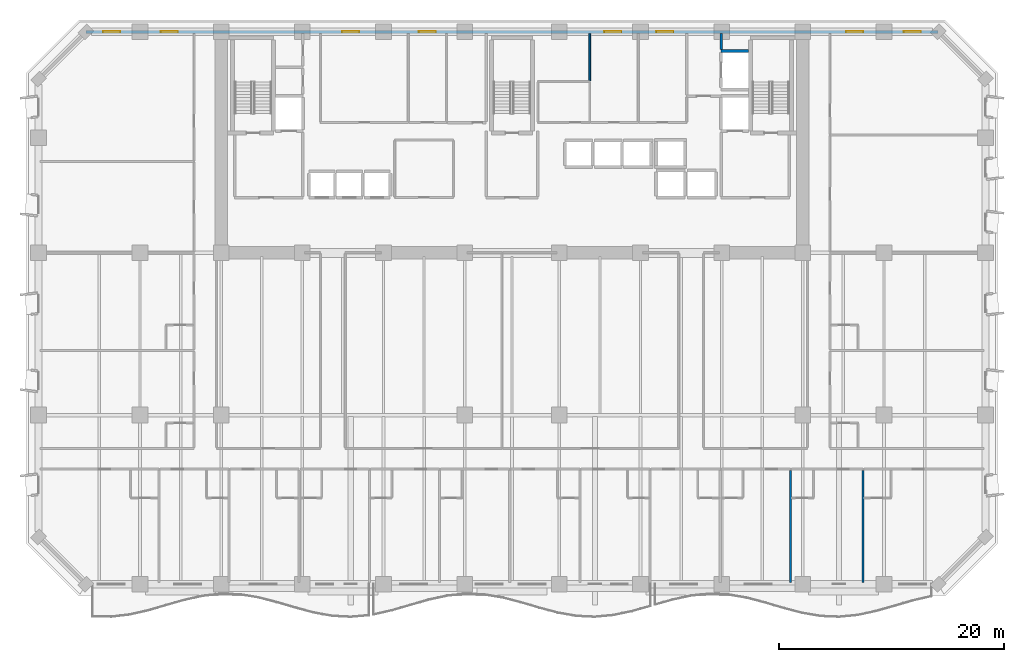
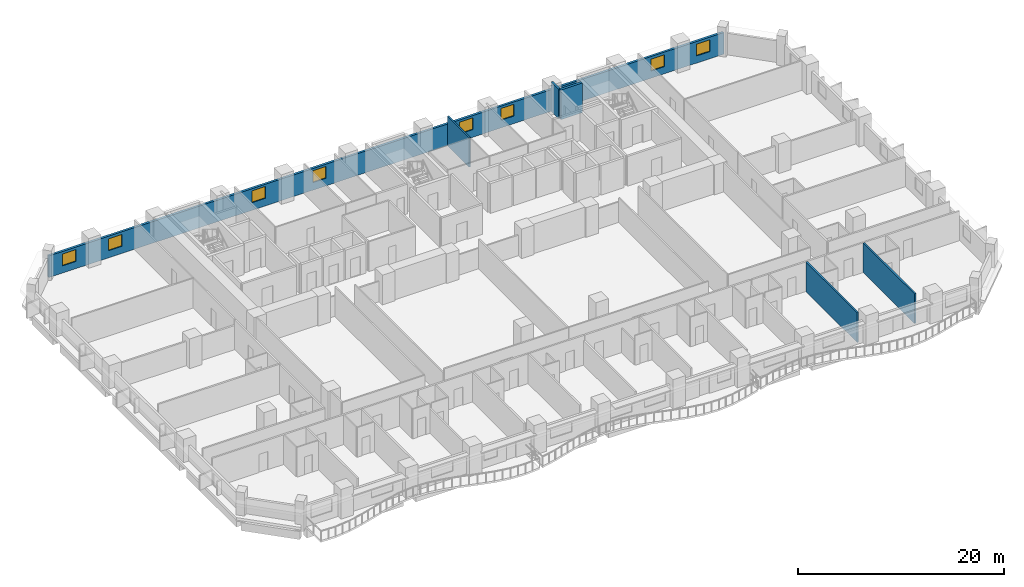
# One storey, part 9 of 15: 8 windows, 6 walls, 8 openings.
"""IFC4 building model written with IfcOpenShell, lengths in metres."""

from ifc_helpers import new_model, si_unit, direction, frame, frame_2d, origin, place, context, subcontext, project, spatial, rectangle, extrude, material, layer, layer_set, type_object, element, fill, save


model = new_model("IFC4")

# Units and contexts
model_context = context("Model", 3, precision=1e-05, world=origin(), true_north=direction((0.0, 1.0)))
body_context = subcontext(model_context, "Body", "Model", "MODEL_VIEW")
ifc_project = project(units=[si_unit("LENGTHUNIT", "METRE"), si_unit("AREAUNIT", "SQUARE_METRE"), si_unit("VOLUMEUNIT", "CUBIC_METRE"), si_unit("PLANEANGLEUNIT", "RADIAN"), si_unit("MASSUNIT", "GRAM", prefix="KILO")], contexts=[model_context])

# Site, building, storey
site_placement = place(None, origin())
site = spatial("IfcSite", under=ifc_project, at=site_placement, CompositionType="ELEMENT")
building_placement = place(site_placement, origin())
building = spatial("IfcBuilding", under=site, at=building_placement, Name="Kaelvorn Grand Hotel", CompositionType="ELEMENT")
storey_placement = place(building_placement, frame((0.0, 0.0, 42.64990234375)))
storey = spatial("IfcBuildingStorey", under=building, at=storey_placement, Name="L08", CompositionType="ELEMENT", Elevation=42.64990234375)

# Wall, openings, windows
ifc_material_1 = material(Name="Concrete C40/50", Category="concrete")
ifc_layer_1 = layer(ifc_material_1, 0.260009765625)
ifc_layer_set_1 = layer_set([ifc_layer_1], Name="Concrete C40/50")
wall_type_1 = type_object("IfcWallType", Name="WL-EXT-260-C40", PredefinedType="SOLIDWALL", material=ifc_layer_set_1)
wall_1_placement = place(storey_placement, frame((79.800048828125, 49.0, 0.0), z_axis=(0.0, 0.0, 1.0), x_axis=(-1.0, 0.0, 0.0)))
wall_1 = element("IfcWall", 1, at=wall_1_placement, inside=storey, type_object=wall_type_1, Name="L08 Exterior Architectural Concrete Wall 05", PredefinedType="SOLIDWALL", context=body_context, shape_type="SweptSolid", body=[
    extrude(rectangle(XDim=75.60009765625, YDim=0.260009765625, at=frame_2d((37.800048828125, 0.0))), origin(), (0.0, 0.0, 1.0), 2.56005859375),
])
opening_1_placement = place(wall_1_placement, frame((72.56494140625, 0.0, 0.85009765625)))
opening_1 = element("IfcOpeningElement", 2, at=opening_1_placement, cuts=wall_1, Name="Opening W10", PredefinedType="OPENING", context=body_context, shape_type="SweptSolid", body=[
    extrude(rectangle(XDim=1.5, YDim=1.39990234375, at=frame_2d((0.75, 0.699951171875))), frame((0.0, 0.14013671875, 0.0), z_axis=(0.0, -1.0, 0.0), x_axis=(1.0, 0.0, 0.0)), (0.0, 0.0, 1.0), 0.280029296875),
])
opening_2_placement = place(wall_1_placement, frame((67.449951171875, 0.0, 0.85009765625)))
opening_2 = element("IfcOpeningElement", 3, at=opening_2_placement, cuts=wall_1, Name="Opening W10", PredefinedType="OPENING", context=body_context, shape_type="SweptSolid", body=[
    extrude(rectangle(XDim=1.5, YDim=1.39990234375, at=frame_2d((0.75, 0.699951171875))), frame((0.0, 0.14013671875, 0.0), z_axis=(0.0, -1.0, 0.0), x_axis=(1.0, 0.0, 0.0)), (0.0, 0.0, 1.0), 0.280029296875),
])
opening_3_placement = place(wall_1_placement, frame((6.64990234375, 0.0, 0.85009765625)))
opening_3 = element("IfcOpeningElement", 4, at=opening_3_placement, cuts=wall_1, Name="Opening W10", PredefinedType="OPENING", context=body_context, shape_type="SweptSolid", body=[
    extrude(rectangle(XDim=1.5, YDim=1.39990234375, at=frame_2d((0.75, 0.699951171875))), frame((0.0, 0.14013671875, 0.0), z_axis=(0.0, -1.0, 0.0), x_axis=(1.0, 0.0, 0.0)), (0.0, 0.0, 1.0), 0.280029296875),
])
opening_4_placement = place(wall_1_placement, frame((1.534912109375, 0.0, 0.85009765625)))
opening_4 = element("IfcOpeningElement", 5, at=opening_4_placement, cuts=wall_1, Name="Opening W10", PredefinedType="OPENING", context=body_context, shape_type="SweptSolid", body=[
    extrude(rectangle(XDim=1.5, YDim=1.39990234375, at=frame_2d((0.75, 0.699951171875))), frame((0.0, 0.14013671875, 0.0), z_axis=(0.0, -1.0, 0.0), x_axis=(1.0, 0.0, 0.0)), (0.0, 0.0, 1.0), 0.280029296875),
])
opening_5_placement = place(wall_1_placement, frame((51.364990234375, 0.0, 0.89990234375)))
opening_5 = element("IfcOpeningElement", 6, at=opening_5_placement, cuts=wall_1, Name="Opening W10", PredefinedType="OPENING", context=body_context, shape_type="SweptSolid", body=[
    extrude(rectangle(XDim=1.5, YDim=1.39990234375, at=frame_2d((0.75, 0.699951171875))), frame((0.0, 0.14013671875, 0.0), z_axis=(0.0, -1.0, 0.0), x_axis=(1.0, 0.0, 0.0)), (0.0, 0.0, 1.0), 0.280029296875),
])
opening_6_placement = place(wall_1_placement, frame((44.550048828125, 0.0, 0.89990234375)))
opening_6 = element("IfcOpeningElement", 7, at=opening_6_placement, cuts=wall_1, Name="Opening W10", PredefinedType="OPENING", context=body_context, shape_type="SweptSolid", body=[
    extrude(rectangle(XDim=1.5, YDim=1.39990234375, at=frame_2d((0.75, 0.699951171875))), frame((0.0, 0.14013671875, 0.0), z_axis=(0.0, -1.0, 0.0), x_axis=(1.0, 0.0, 0.0)), (0.0, 0.0, 1.0), 0.280029296875),
])
opening_7_placement = place(wall_1_placement, frame((28.10009765625, 0.0, 0.89990234375)))
opening_7 = element("IfcOpeningElement", 8, at=opening_7_placement, cuts=wall_1, Name="Opening W10", PredefinedType="OPENING", context=body_context, shape_type="SweptSolid", body=[
    extrude(rectangle(XDim=1.5, YDim=1.39990234375, at=frame_2d((0.75, 0.699951171875))), frame((0.0, 0.14013671875, 0.0), z_axis=(0.0, -1.0, 0.0), x_axis=(1.0, 0.0, 0.0)), (0.0, 0.0, 1.0), 0.280029296875),
])
opening_8_placement = place(wall_1_placement, frame((23.485107421875, 0.0, 0.89990234375)))
opening_8 = element("IfcOpeningElement", 9, at=opening_8_placement, cuts=wall_1, Name="Opening W10", PredefinedType="OPENING", context=body_context, shape_type="SweptSolid", body=[
    extrude(rectangle(XDim=1.5, YDim=1.39990234375, at=frame_2d((0.75, 0.699951171875))), frame((0.0, 0.14013671875, 0.0), z_axis=(0.0, -1.0, 0.0), x_axis=(1.0, 0.0, 0.0)), (0.0, 0.0, 1.0), 0.280029296875),
])
ifc_material_2 = material(Name="Laminated Low-E Glass", Category="glass")
window_type = type_object("IfcWindowType", Name="WIN-COR-1500x1400", PartitioningType="SINGLE_PANEL", PredefinedType="WINDOW", material=ifc_material_2)
window_1_placement = place(opening_1_placement, origin())
window_1 = element("IfcWindow", 10, at=window_1_placement, inside=storey, type_object=window_type, Name="L08 North Wing Ribbon Window NW01", OverallHeight=1.39990234375, OverallWidth=1.5, PartitioningType="SINGLE_PANEL", PredefinedType="WINDOW", context=body_context, shape_type="SweptSolid", body=[
    extrude(rectangle(XDim=1.5, YDim=1.39990234375, at=frame_2d((0.75, 0.699951171875))), frame((0.0, 0.030029296875, 0.0), z_axis=(0.0, -1.0, 0.0), x_axis=(1.0, 0.0, 0.0)), (0.0, 0.0, 1.0), 0.06005859375),
])
fill(opening_1, window_1)
window_2_placement = place(opening_2_placement, origin())
window_2 = element("IfcWindow", 11, at=window_2_placement, inside=storey, type_object=window_type, Name="L08 North Wing Ribbon Window NW02", OverallHeight=1.39990234375, OverallWidth=1.5, PartitioningType="SINGLE_PANEL", PredefinedType="WINDOW", context=body_context, shape_type="SweptSolid", body=[
    extrude(rectangle(XDim=1.5, YDim=1.39990234375, at=frame_2d((0.75, 0.699951171875))), frame((0.0, 0.030029296875, 0.0), z_axis=(0.0, -1.0, 0.0), x_axis=(1.0, 0.0, 0.0)), (0.0, 0.0, 1.0), 0.06005859375),
])
fill(opening_2, window_2)
window_3_placement = place(opening_3_placement, origin())
window_3 = element("IfcWindow", 12, at=window_3_placement, inside=storey, type_object=window_type, Name="L08 North Wing Ribbon Window NW03", OverallHeight=1.39990234375, OverallWidth=1.5, PartitioningType="SINGLE_PANEL", PredefinedType="WINDOW", context=body_context, shape_type="SweptSolid", body=[
    extrude(rectangle(XDim=1.5, YDim=1.39990234375, at=frame_2d((0.75, 0.699951171875))), frame((0.0, 0.030029296875, 0.0), z_axis=(0.0, -1.0, 0.0), x_axis=(1.0, 0.0, 0.0)), (0.0, 0.0, 1.0), 0.06005859375),
])
fill(opening_3, window_3)
window_4_placement = place(opening_4_placement, origin())
window_4 = element("IfcWindow", 13, at=window_4_placement, inside=storey, type_object=window_type, Name="L08 North Wing Ribbon Window NW04", OverallHeight=1.39990234375, OverallWidth=1.5, PartitioningType="SINGLE_PANEL", PredefinedType="WINDOW", context=body_context, shape_type="SweptSolid", body=[
    extrude(rectangle(XDim=1.5, YDim=1.39990234375, at=frame_2d((0.75, 0.699951171875))), frame((0.0, 0.030029296875, 0.0), z_axis=(0.0, -1.0, 0.0), x_axis=(1.0, 0.0, 0.0)), (0.0, 0.0, 1.0), 0.06005859375),
])
fill(opening_4, window_4)
window_5_placement = place(opening_5_placement, origin())
window_5 = element("IfcWindow", 14, at=window_5_placement, inside=storey, type_object=window_type, Name="L08 North Core Clerestory Ribbon Window NC05", OverallHeight=1.39990234375, OverallWidth=1.5, PartitioningType="SINGLE_PANEL", PredefinedType="WINDOW", context=body_context, shape_type="SweptSolid", body=[
    extrude(rectangle(XDim=1.5, YDim=1.39990234375, at=frame_2d((0.75, 0.699951171875))), frame((0.0, 0.030029296875, 0.0), z_axis=(0.0, -1.0, 0.0), x_axis=(1.0, 0.0, 0.0)), (0.0, 0.0, 1.0), 0.06005859375),
])
fill(opening_5, window_5)
window_6_placement = place(opening_6_placement, origin())
window_6 = element("IfcWindow", 15, at=window_6_placement, inside=storey, type_object=window_type, Name="L08 North Core Clerestory Ribbon Window NC06", OverallHeight=1.39990234375, OverallWidth=1.5, PartitioningType="SINGLE_PANEL", PredefinedType="WINDOW", context=body_context, shape_type="SweptSolid", body=[
    extrude(rectangle(XDim=1.5, YDim=1.39990234375, at=frame_2d((0.75, 0.699951171875))), frame((0.0, 0.030029296875, 0.0), z_axis=(0.0, -1.0, 0.0), x_axis=(1.0, 0.0, 0.0)), (0.0, 0.0, 1.0), 0.06005859375),
])
fill(opening_6, window_6)
window_7_placement = place(opening_7_placement, origin())
window_7 = element("IfcWindow", 16, at=window_7_placement, inside=storey, type_object=window_type, Name="L08 North Core Clerestory Ribbon Window NC07", OverallHeight=1.39990234375, OverallWidth=1.5, PartitioningType="SINGLE_PANEL", PredefinedType="WINDOW", context=body_context, shape_type="SweptSolid", body=[
    extrude(rectangle(XDim=1.5, YDim=1.39990234375, at=frame_2d((0.75, 0.699951171875))), frame((0.0, 0.030029296875, 0.0), z_axis=(0.0, -1.0, 0.0), x_axis=(1.0, 0.0, 0.0)), (0.0, 0.0, 1.0), 0.06005859375),
])
fill(opening_7, window_7)
window_8_placement = place(opening_8_placement, origin())
window_8 = element("IfcWindow", 17, at=window_8_placement, inside=storey, type_object=window_type, Name="L08 North Core Clerestory Ribbon Window NC08", OverallHeight=1.39990234375, OverallWidth=1.5, PartitioningType="SINGLE_PANEL", PredefinedType="WINDOW", context=body_context, shape_type="SweptSolid", body=[
    extrude(rectangle(XDim=1.5, YDim=1.39990234375, at=frame_2d((0.75, 0.699951171875))), frame((0.0, 0.030029296875, 0.0), z_axis=(0.0, -1.0, 0.0), x_axis=(1.0, 0.0, 0.0)), (0.0, 0.0, 1.0), 0.06005859375),
])
fill(opening_8, window_8)

# Walls
ifc_material_3 = material(Name="Acoustic Gypsum & Stud Partition")
ifc_layer_2 = layer(ifc_material_3, 0.14990234375)
ifc_layer_set_2 = layer_set([ifc_layer_2], Name="Acoustic Gypsum & Stud Partition")
wall_type_2 = type_object("IfcWallType", Name="WL-PART-150-EI60", PredefinedType="PARTITIONING", material=ifc_layer_set_2)
wall_2_placement = place(storey_placement, frame((48.89990234375, 44.66748046875, 0.0), z_axis=(0.0, 0.0, 1.0), x_axis=(0.0, 1.0, 0.0)))
element("IfcWall", 18, at=wall_2_placement, inside=storey, type_object=wall_type_2, Name="L08 Minibar & Glassware Store W Partition", PredefinedType="PARTITIONING", context=body_context, shape_type="SweptSolid", body=[
    extrude(rectangle(XDim=4.1826171875, YDim=0.14990234375, at=frame_2d((2.09130859375, 0.0))), origin(), (0.0, 0.0, 1.0), 3.510009765625),
])
ifc_layer_3 = layer(ifc_material_3, 0.179931640625)
ifc_layer_set_3 = layer_set([ifc_layer_3], Name="Acoustic Gypsum & Stud Partition")
wall_type_3 = type_object("IfcWallType", Name="WL-PART-180-EI60", PredefinedType="PARTITIONING", material=ifc_layer_set_3)
for number, where, z_axis, x_axis, name in (
    (19, (66.69873046875, 0.14990234375, 0.0), (0.0, 0.0, 1.0), (0.0, 1.0, 0.0), "L08 Deluxe King Guest Room L08-10 E Partition"),
    (20, (73.124267578125, 0.14990234375, 0.0), (0.0, 0.0, 1.0), (0.0, 1.0, 0.0), "L08 Deluxe Panoramic Suite L08-11 E Partition"),
):
    element("IfcWall", number, at=place(storey_placement, frame(where, z_axis=z_axis, x_axis=x_axis)), inside=storey, type_object=wall_type_3, Name=name, PredefinedType="PARTITIONING", context=body_context, shape_type="SweptSolid", body=[
        extrude(rectangle(XDim=9.955078125, YDim=0.179931640625, at=frame_2d((4.9775390625, 0.0))), origin(), (0.0, 0.0, 1.0), 3.510009765625),
    ])
ifc_layer_4 = layer(ifc_material_1, 0.219970703125)
ifc_layer_set_4 = layer_set([ifc_layer_4], Name="Concrete C40/50")
wall_type_4 = type_object("IfcWallType", Name="WL-PART-220-EI120", PredefinedType="PARTITIONING", material=ifc_layer_set_4)
wall_3_placement = place(storey_placement, frame((60.550048828125, 47.445068359375, 0.0), z_axis=(0.0, 0.0, 1.0), x_axis=(0.0, 1.0, 0.0)))
element("IfcWall", 21, at=wall_3_placement, inside=storey, type_object=wall_type_4, Name="L08 Service Lift Lobby E Partition", PredefinedType="PARTITIONING", context=body_context, shape_type="SweptSolid", body=[
    extrude(rectangle(XDim=1.405029296875, YDim=0.219970703125, at=frame_2d((0.70263671875, 0.0))), origin(), (0.0, 0.0, 1.0), 3.510009765625),
])
ifc_material_4 = material(Name="Concrete C50/60", Category="concrete")
ifc_layer_5 = layer(ifc_material_4, 0.280029296875)
ifc_layer_set_5 = layer_set([ifc_layer_5], Name="Concrete C50/60")
wall_type_5 = type_object("IfcWallType", Name="WL-SHAFT-280-C50", PredefinedType="SHEAR", material=ifc_layer_set_5)
wall_4_placement = place(storey_placement, frame((60.550048828125, 47.300048828125, 0.0), z_axis=(0.0, 0.0, 1.0), x_axis=(1.0, 0.0, 0.0)))
element("IfcWall", 22, at=wall_4_placement, inside=storey, type_object=wall_type_5, Name="L08 Lift SV1 Shaft North Wall", PredefinedType="SHEAR", context=body_context, shape_type="SweptSolid", body=[
    extrude(rectangle(XDim=2.4150390625, YDim=0.280029296875, at=frame_2d((1.20751953125, 0.0))), origin(), (0.0, 0.0, 1.0), 3.510009765625),
])

save(model, "model.ifc")
